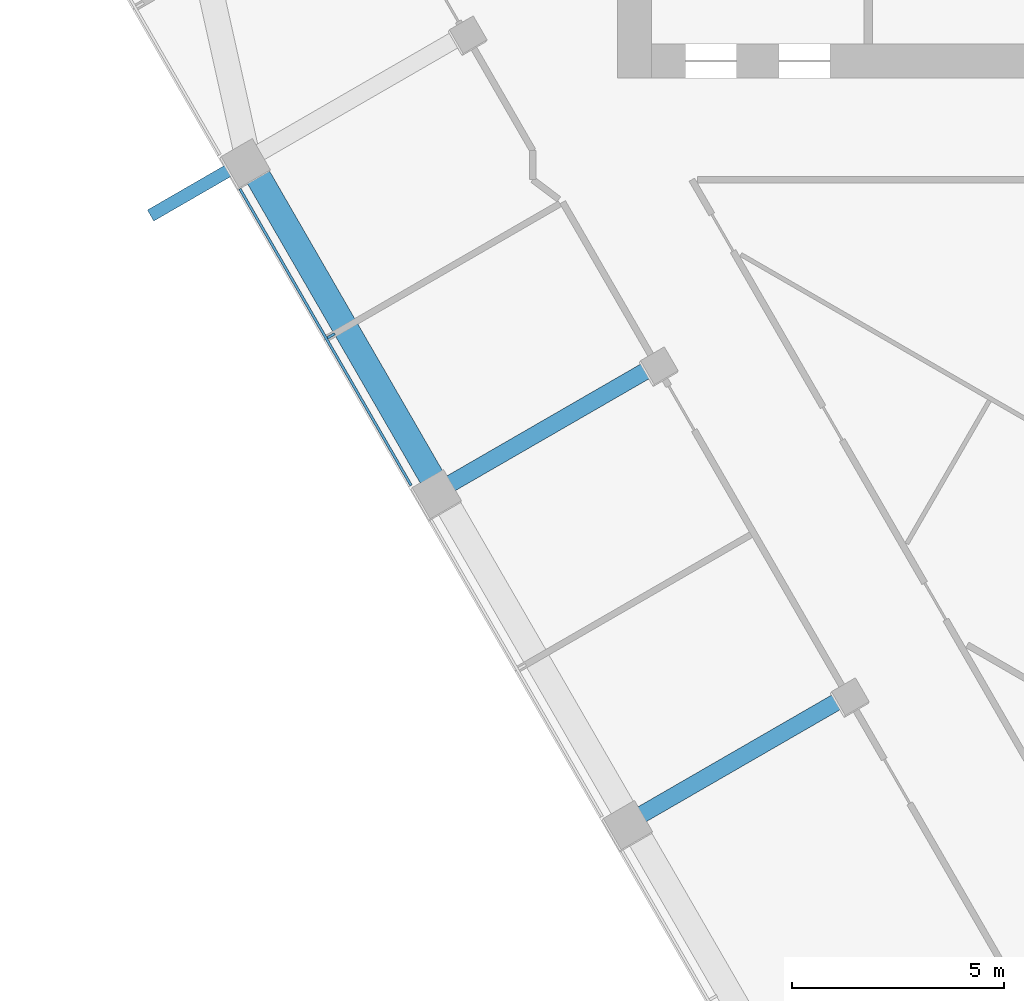
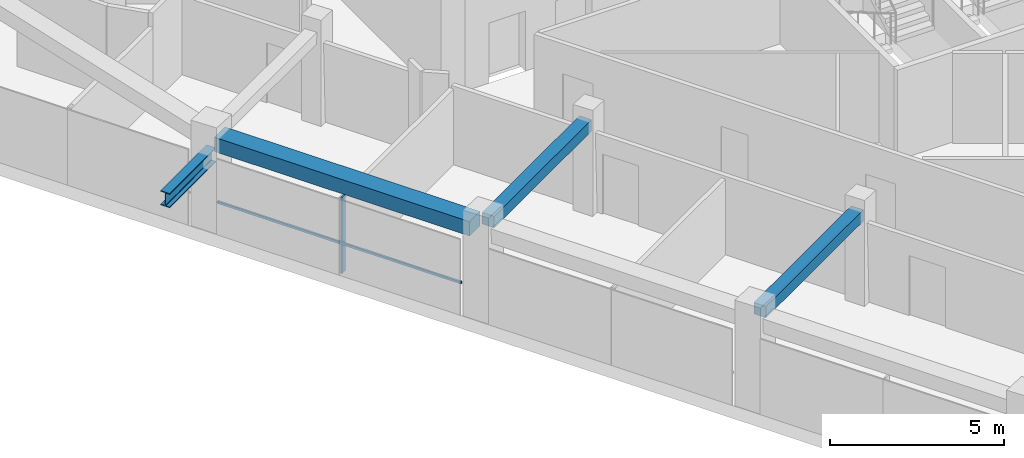
# One storey, part 3 of 13: 3 beams, 3 members, 1 element without a shape of its own.
"""IFC4 building model written with IfcOpenShell, lengths in metres."""

from ifc_helpers import new_model, si_unit, direction, frame, origin, origin_2d, place, context, subcontext, project, spatial, rectangle, i_section, extrude, material, layer, layer_set, material_profile, profile_set, type_object, element, aggregate, save


model = new_model("IFC4")

# Units and contexts
model_context = context("Model", 3, precision=1e-05, world=origin(), true_north=direction((0.0, 1.0)))
body_context = subcontext(model_context, "Body", "Model", "MODEL_VIEW")
ifc_project = project(units=[si_unit("LENGTHUNIT", "METRE"), si_unit("AREAUNIT", "SQUARE_METRE"), si_unit("VOLUMEUNIT", "CUBIC_METRE"), si_unit("PLANEANGLEUNIT", "RADIAN"), si_unit("MASSUNIT", "GRAM", prefix="KILO")], contexts=[model_context])

# Site, building, storey
site_placement = place(None, origin())
site = spatial("IfcSite", under=ifc_project, at=site_placement, CompositionType="ELEMENT")
building_placement = place(site_placement, origin())
building = spatial("IfcBuilding", under=site, at=building_placement, Name="Altiplano Prism Tower", CompositionType="ELEMENT")
storey_placement = place(building_placement, frame((0.0, 0.0, 160.199951171875)))
storey = spatial("IfcBuildingStorey", under=building, at=storey_placement, Name="L41", CompositionType="ELEMENT", Elevation=160.199951171875)

# Member
ifc_material_1 = material(Name="Steel S355", Category="steel")
ifc_material_profile_1 = material_profile(ifc_material_1, i_section(OverallWidth=0.300048828125, OverallDepth=0.5, WebThickness=0.014404296875, FlangeThickness=0.028076171875, FilletRadius=0.027099609375, at=origin_2d()), Name="Brace bracket HEB 500")
ifc_profile_set_1 = profile_set([ifc_material_profile_1], Name="Steel S355")
member_type_1 = type_object("IfcMemberType", Name="Brace bracket HEB 500", PredefinedType="STRUT", material=ifc_profile_set_1)
member_1_placement = place(storey_placement, frame((63.49267578125, 90.68115234375, 2.309326171875), z_axis=(-0.866029095148, -0.499993606316, 0.0), x_axis=(0.499993606316, -0.866029095148, 0.0)))
element("IfcMember", 1, at=member_1_placement, inside=storey, type_object=member_type_1, Name="Brace bracket 1.163.8", PredefinedType="STRUT", context=body_context, shape_type="SweptSolid", body=[
    extrude(i_section(OverallWidth=0.300048828125, OverallDepth=0.5, WebThickness=0.014404296875, FlangeThickness=0.028076171875, FilletRadius=0.027099609375, at=origin_2d()), origin(), (0.0, 0.0, 1.0), 2.64990234375),
])

# Curtain wall, members
ifc_material_2 = material(Name="Aluminium and glass", Category="aluminium")
ifc_layer = layer(ifc_material_2, 0.303955078125)
ifc_layer_set = layer_set([ifc_layer], Name="Aluminium and glass")
curtain_wall_type = type_object("IfcCurtainWallType", Name="CW2 lounge-band unitised glazing", PredefinedType="NOTDEFINED", material=ifc_layer_set)
curtain_wall_placement = place(storey_placement, origin())
curtain_wall = element("IfcCurtainWall", 2, at=curtain_wall_placement, inside=storey, type_object=curtain_wall_type, Name="CW2 curtain wall south-west face L41", PredefinedType="NOTDEFINED")
ifc_material_3 = material(Name="Aluminium", Category="aluminium")
ifc_material_profile_2 = material_profile(ifc_material_3, rectangle(XDim=0.199951171875, YDim=0.06005859375, at=origin_2d()), Name="CW2 mullion 60 x 200")
ifc_profile_set_2 = profile_set([ifc_material_profile_2], Name="Aluminium")
member_type_2 = type_object("IfcMemberType", Name="CW2 mullion 60 x 200", PredefinedType="MULLION", material=ifc_profile_set_2)
member_2_placement = place(storey_placement, frame((65.44970703125, 86.5224609375, 0.0), z_axis=(0.0, 0.0, 1.0), x_axis=(0.866025401978, 0.500000003129, 0.0)))
member_2 = element("IfcMember", 3, at=member_2_placement, type_object=member_type_2, Name="CW2 mullion", PredefinedType="MULLION", context=body_context, shape_type="SweptSolid", body=[
    extrude(rectangle(XDim=0.199951171875, YDim=0.06005859375, at=origin_2d()), origin(), (0.0, 0.0, 1.0), 2.650146484375),
])
ifc_material_profile_3 = material_profile(ifc_material_3, rectangle(XDim=0.06005859375, YDim=0.080078125, at=origin_2d()), Name="CW2 transom 80 x 60")
ifc_profile_set_3 = profile_set([ifc_material_profile_3], Name="Aluminium")
member_type_3 = type_object("IfcMemberType", Name="CW2 transom 80 x 60", PredefinedType="USERDEFINED", material=ifc_profile_set_3)
member_3_placement = place(storey_placement, frame((63.300048828125, 89.98583984375, 1.10009765625), z_axis=(0.500007908628, -0.866020837688, 0.0), x_axis=(0.866020837688, 0.500007908628, 0.0)))
member_3 = element("IfcMember", 4, at=member_3_placement, type_object=member_type_3, Name="CW2 transom", ObjectType="TRANSOM", PredefinedType="USERDEFINED", context=body_context, shape_type="SweptSolid", body=[
    extrude(rectangle(XDim=0.06005859375, YDim=0.080078125, at=origin_2d()), origin(), (0.0, 0.0, 1.0), 8.069580078125),
])
aggregate(curtain_wall, [member_2, member_3])

# Beams
ifc_material_4 = material(Name="Concrete C60/75", Category="concrete")
ifc_material_profile_4 = material_profile(ifc_material_4, rectangle(XDim=0.60009765625, YDim=0.5, at=origin_2d()), Name="Edge beam 600x500")
ifc_profile_set_4 = profile_set([ifc_material_profile_4], Name="Concrete C60/75")
beam_type_1 = type_object("IfcBeamType", Name="Edge beam 600x500", PredefinedType="SPANDREL", material=ifc_profile_set_4)
beam_placement = place(storey_placement, frame((63.6328125, 90.438720703125, 2.900146484375), z_axis=(0.499993714791, -0.866029032521, 0.0), x_axis=(0.866029032521, 0.499993714791, 0.0)))
element("IfcBeam", 5, at=beam_placement, inside=storey, type_object=beam_type_1, Name="Edge beam P11-P12 L42", PredefinedType="SPANDREL", context=body_context, shape_type="SweptSolid", body=[
    extrude(rectangle(XDim=0.60009765625, YDim=0.5, at=origin_2d()), origin(), (0.0, 0.0, 1.0), 8.43994140625),
])
ifc_material_profile_5 = material_profile(ifc_material_4, rectangle(XDim=0.39990234375, YDim=0.39990234375, at=origin_2d()), Name="Tie beam 400x400")
ifc_profile_set_5 = profile_set([ifc_material_profile_5], Name="Concrete C60/75")
beam_type_2 = type_object("IfcBeamType", Name="Tie beam 400x400", PredefinedType="BEAM", material=ifc_profile_set_5)
for number, where, z_axis, x_axis, name in (
    (6, (73.076416015625, 85.82177734375, 2.949951171875), (-0.866030670444, -0.499990877767, 0.0), (0.499990877767, -0.866030670444, 0.0), "Tie beam I12 L42"),
    (7, (77.576416015625, 78.027587890625, 2.949951171875), (-0.866030670444, -0.499990877767, 0.0), (0.499990877767, -0.866030670444, 0.0), "Tie beam I13 L42"),
):
    element("IfcBeam", number, at=place(storey_placement, frame(where, z_axis=z_axis, x_axis=x_axis)), inside=storey, type_object=beam_type_2, Name=name, PredefinedType="BEAM", context=body_context, shape_type="SweptSolid", body=[
        extrude(rectangle(XDim=0.39990234375, YDim=0.39990234375, at=origin_2d()), origin(), (0.0, 0.0, 1.0), 5.58984375),
    ])

save(model, "model.ifc")
